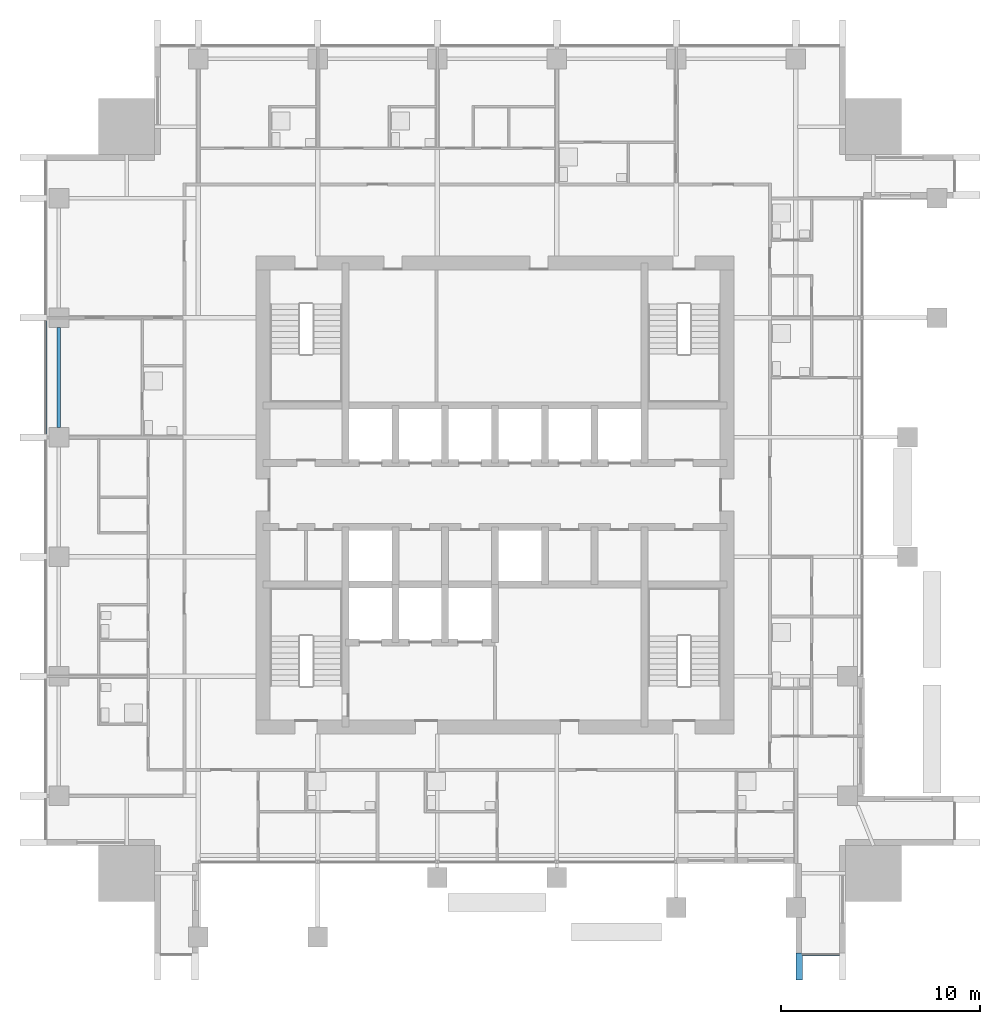
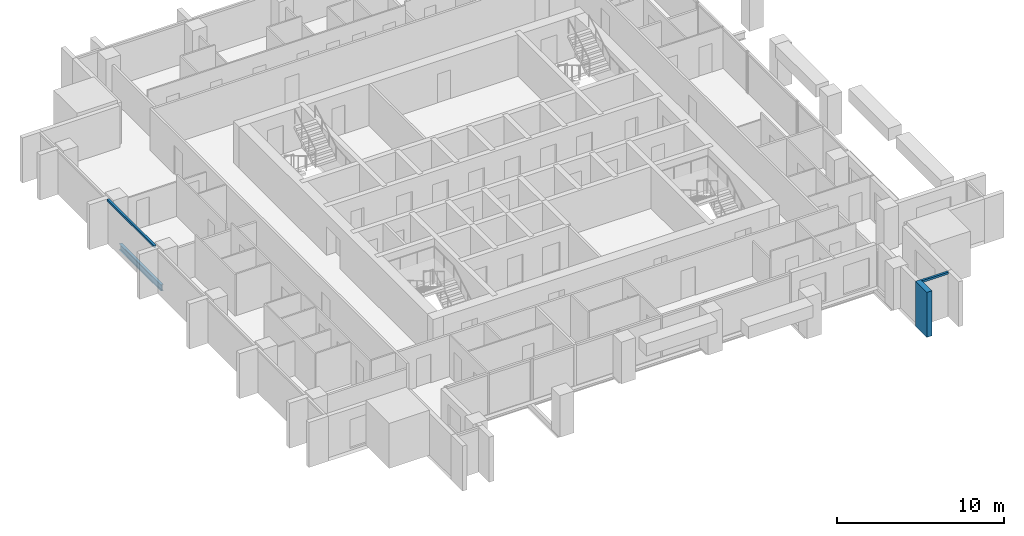
# One storey, part 3 of 14: 3 members, 1 beam, 2 elements without a shape of their own.
"""IFC4 building model written with IfcOpenShell, lengths in metres."""

from ifc_helpers import new_model, si_unit, direction, frame, origin, origin_2d, place, context, subcontext, project, spatial, rectangle, i_section, extrude, material, material_profile, profile_set, type_object, element, aggregate, save


model = new_model("IFC4")

# Units and contexts
model_context = context("Model", 3, precision=1e-05, world=origin(), true_north=direction((0.0, 1.0)))
body_context = subcontext(model_context, "Body", "Model", "MODEL_VIEW")
ifc_project = project(units=[si_unit("LENGTHUNIT", "METRE"), si_unit("AREAUNIT", "SQUARE_METRE"), si_unit("VOLUMEUNIT", "CUBIC_METRE"), si_unit("PLANEANGLEUNIT", "RADIAN"), si_unit("MASSUNIT", "GRAM", prefix="KILO")], contexts=[model_context])

# Site, building, storey
site_placement = place(None, origin())
site = spatial("IfcSite", under=ifc_project, at=site_placement, CompositionType="ELEMENT")
building_placement = place(site_placement, origin())
building = spatial("IfcBuilding", under=site, at=building_placement, Name="Amberfall Residences", CompositionType="ELEMENT")
storey_placement = place(building_placement, frame((0.0, 0.0, 168.10009765625)))
storey = spatial("IfcBuildingStorey", under=building, at=storey_placement, Name="L45", CompositionType="ELEMENT", Elevation=168.10009765625)

# Curtain wall, member
ifc_material_1 = material(Name="Bronze anodised aluminium and glass", Category="aluminium")
curtain_wall_type = type_object("IfcCurtainWallType", Name="Curtain wall CW1 tower unit", PredefinedType="USERDEFINED", material=ifc_material_1)
curtain_wall_1_placement = place(storey_placement, origin())
curtain_wall_1 = element("IfcCurtainWall", 1, at=curtain_wall_1_placement, inside=storey, type_object=curtain_wall_type, Name="Curtain wall L45 S S9", ObjectType="UNITISED CURTAIN WALL", PredefinedType="USERDEFINED")
ifc_material_2 = material(Name="Bronze anodised aluminium", Category="aluminium")
ifc_material_profile_1 = material_profile(ifc_material_2, rectangle(XDim=0.14990234375, YDim=0.14990234375, at=origin_2d()), Name="CW1 transom 150 x 150 bronze")
ifc_profile_set_1 = profile_set([ifc_material_profile_1], Name="Bronze anodised aluminium")
member_type_1 = type_object("IfcMemberType", Name="CW1 transom 150 x 150 bronze", PredefinedType="USERDEFINED", material=ifc_profile_set_1)
member_1_placement = place(storey_placement, frame((89.949951171875, 22.425048828125, 2.974853515625), z_axis=(1.0, 0.0, 0.0), x_axis=(0.0, 1.0, 0.0)))
member_1 = element("IfcMember", 2, at=member_1_placement, type_object=member_type_1, Name="CW1 transom 1.1", ObjectType="TRANSOM", PredefinedType="USERDEFINED", context=body_context, shape_type="SweptSolid", body=[
    extrude(rectangle(XDim=0.14990234375, YDim=0.14990234375, at=origin_2d()), origin(), (0.0, 0.0, 1.0), 1.85009765625),
])

curtain_wall_2_placement = place(storey_placement, origin())
curtain_wall_2 = element("IfcCurtainWall", 3, at=curtain_wall_2_placement, inside=storey, type_object=curtain_wall_type, Name="Curtain wall L45 W W1", ObjectType="UNITISED CURTAIN WALL", PredefinedType="USERDEFINED")
member_2_placement = place(storey_placement, frame((51.925048828125, 54.22509765625, 2.974853515625), z_axis=(0.0, -1.0, 0.0), x_axis=(1.0, 0.0, 0.0)))
member_2 = element("IfcMember", 4, at=member_2_placement, type_object=member_type_1, Name="CW1 transom 3.1", ObjectType="TRANSOM", PredefinedType="USERDEFINED", context=body_context, shape_type="SweptSolid", body=[
    extrude(rectangle(XDim=0.14990234375, YDim=0.14990234375, at=origin_2d()), origin(), (0.0, 0.0, 1.0), 5.650146484375),
])
aggregate(curtain_wall_2, [member_2])

# Beam
ifc_material_3 = material(Name="Steel S355", Category="steel")
ifc_material_profile_2 = material_profile(ifc_material_3, i_section(OverallWidth=0.18994140625, OverallDepth=0.453369140625, WebThickness=0.008544921875, FlangeThickness=0.0126953125, FilletRadius=0.01025390625, at=origin_2d()), Name="UB 457x191x67")
ifc_profile_set_2 = profile_set([ifc_material_profile_2], Name="Steel S355")
beam_type = type_object("IfcBeamType", Name="Edge beam UB 457x191x67", PredefinedType="SPANDREL", material=ifc_profile_set_2)
beam_placement = place(storey_placement, frame((52.60009765625, 48.89990234375, -0.476806640625), z_axis=(0.0, 1.0, 0.0), x_axis=(-1.0, 0.0, 0.0)))
element("IfcBeam", 5, at=beam_placement, inside=storey, type_object=beam_type, Name="Edge beam B1 L45 37", PredefinedType="SPANDREL", context=body_context, shape_type="SweptSolid", body=[
    extrude(i_section(OverallWidth=0.18994140625, OverallDepth=0.453369140625, WebThickness=0.008544921875, FlangeThickness=0.0126953125, FilletRadius=0.01025390625, at=origin_2d()), origin(), (0.0, 0.0, 1.0), 5.0),
])

# Member
ifc_material_profile_3 = material_profile(ifc_material_2, rectangle(XDim=1.35009765625, YDim=0.35009765625, at=origin_2d()), Name="Fin 350 x 1350 bronze")
ifc_profile_set_3 = profile_set([ifc_material_profile_3], Name="Bronze anodised aluminium")
member_type_2 = type_object("IfcMemberType", Name="Fin 350 x 1350 bronze", PredefinedType="MULLION", material=ifc_profile_set_3)
member_3_placement = place(storey_placement, frame((89.77490234375, 21.824951171875, -0.25), z_axis=(0.0, 0.0, 1.0), x_axis=(0.0, 1.0, 0.0)))
member_3 = element("IfcMember", 6, at=member_3_placement, type_object=member_type_2, Name="CW FIN 1", PredefinedType="MULLION", context=body_context, shape_type="SweptSolid", body=[
    extrude(rectangle(XDim=1.35009765625, YDim=0.35009765625, at=origin_2d()), origin(), (0.0, 0.0, 1.0), 3.2998046875),
])

aggregate(curtain_wall_1, [member_3, member_1])

save(model, "model.ifc")
